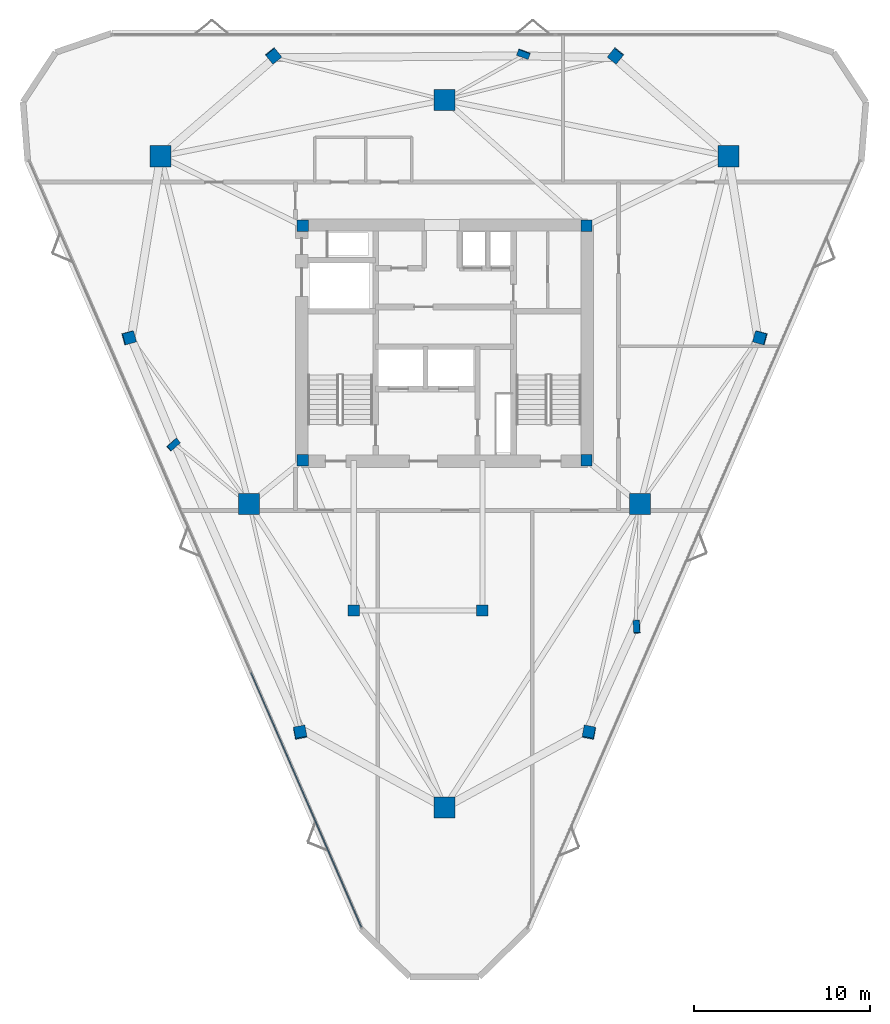
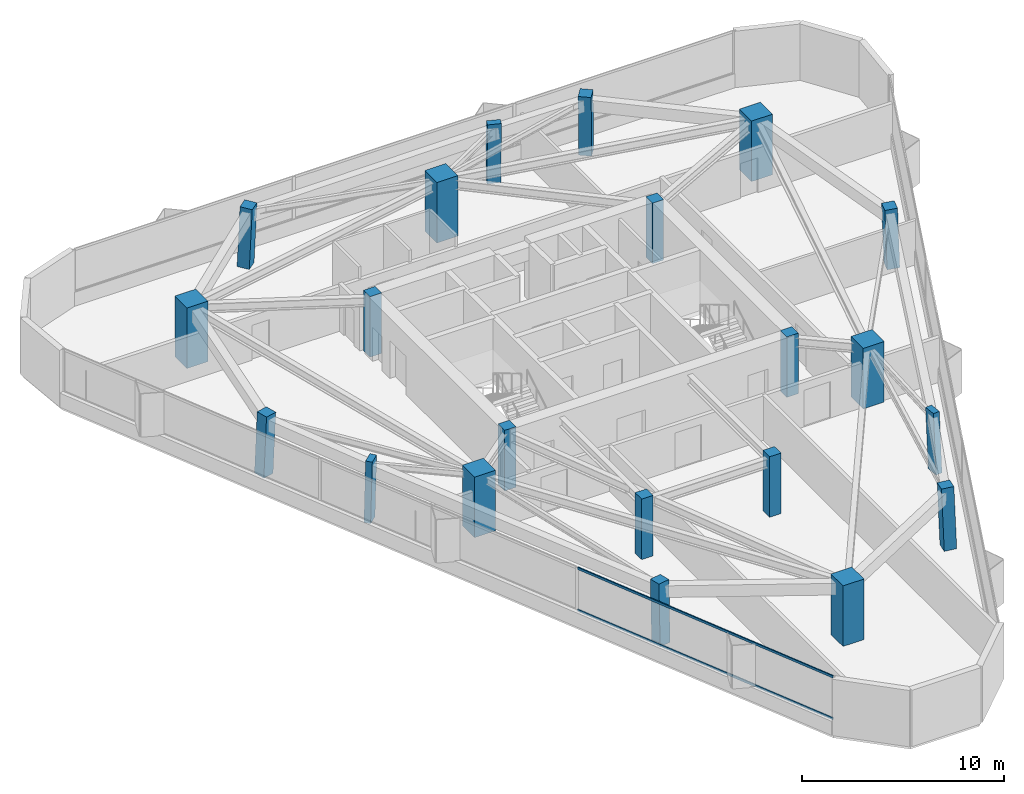
# One storey, part 1 of 11: 21 columns, 2 members, 1 element without a shape of its own.
"""IFC4 building model written with IfcOpenShell, lengths in metres."""

import ifcopenshell
import ifcopenshell.guid

model = None  # the IFC model being written
_history = None  # IfcOwnerHistory: only IFC2X3 demands one
_inside = {}  # id of a spatial element -> (the spatial element, [elements in it])
_under = {}  # id of a project, library or spatial element -> (it, [spatial elements below it])
_declared = {}  # id of a project -> (the project, [libraries it declares])
_typed = {}  # id of a type object -> (the type object, [elements of that type])
_made_of = {}  # id of a material, layer set ... -> (it, [elements and type objects made of it])


def new_model(schema):
    """Start an empty IFC model of exactly this schema.

    Asked for "IFC4X3", IfcOpenShell would pick the latest addendum, in which some entities
    have other attributes; the version numbers below select the first issue.
    IFC2X3 requires an IfcOwnerHistory on every rooted entity: one is made here for all.
    """
    global model, _history
    if schema == "IFC4X3":
        model = ifcopenshell.file(schema_version=(4, 3, 0, 0))
    else:
        model = ifcopenshell.file(schema=schema)
    _inside.clear()
    _under.clear()
    _declared.clear()
    _typed.clear()
    _made_of.clear()
    _history = None
    if model.schema == "IFC2X3":
        org = make("IfcOrganization", Name="unknown")
        user = make(
            "IfcPersonAndOrganization",
            ThePerson=make("IfcPerson", FamilyName="unknown"),
            TheOrganization=org,
        )
        app = make(
            "IfcApplication",
            ApplicationDeveloper=org,
            Version="unknown",
            ApplicationFullName="unknown",
            ApplicationIdentifier="unknown",
        )
        _history = make(
            "IfcOwnerHistory",
            OwningUser=user,
            OwningApplication=app,
            ChangeAction="ADDED",
            CreationDate=0,
        )
    return model


def make(cls, **values):
    """One entity of the class cls with the attributes given. An attribute that is None is left unset."""
    return model.create_entity(
        cls, **{name: value for name, value in values.items() if value is not None}
    )


def rooted(cls, **values):
    """An entity with a GlobalId (a new one), such as an element, a storey or a relation."""
    return make(cls, GlobalId=ifcopenshell.guid.new(), OwnerHistory=_history, **values)


def si_unit(unit_type, name, prefix=None):
    """IfcSIUnit, for example si_unit("LENGTHUNIT", "METRE", prefix="MILLI")."""
    return make("IfcSIUnit", UnitType=unit_type, Prefix=prefix, Name=name)


def assignment(units):
    """IfcUnitAssignment: the units of a project."""
    return None if units is None else make("IfcUnitAssignment", Units=units)


def point(xyz):
    """IfcCartesianPoint."""
    return None if xyz is None else make("IfcCartesianPoint", Coordinates=xyz)


def direction(xyz):
    """IfcDirection."""
    return None if xyz is None else make("IfcDirection", DirectionRatios=xyz)


def frame(location, z_axis=None, x_axis=None):
    """IfcAxis2Placement3D, a coordinate frame: its origin and axes. An axis left out is left unset."""
    return make(
        "IfcAxis2Placement3D",
        Location=point(location),
        Axis=direction(z_axis),
        RefDirection=direction(x_axis),
    )


def frame_2d(location, x_axis=None):
    """IfcAxis2Placement2D, a coordinate frame in the plane: its origin and x axis."""
    return make(
        "IfcAxis2Placement2D", Location=point(location), RefDirection=direction(x_axis)
    )


def origin():
    """The frame at (0, 0, 0) with its axes left unset."""
    return frame((0.0, 0.0, 0.0))


def origin_2d():
    """The frame at (0, 0) in the plane with its x axis left unset."""
    return frame_2d((0.0, 0.0))


def place(relative_to, where):
    """IfcLocalPlacement: puts the frame where relative to a parent placement (None: the world)."""
    return make(
        "IfcLocalPlacement", PlacementRelTo=relative_to, RelativePlacement=where
    )


def context(
    kind, dimensions, precision=None, world=None, true_north=None, identifier=None
):
    """IfcGeometricRepresentationContext, for example the 3D "Model" context."""
    return make(
        "IfcGeometricRepresentationContext",
        ContextIdentifier=identifier,
        ContextType=kind,
        CoordinateSpaceDimension=dimensions,
        Precision=precision,
        WorldCoordinateSystem=world,
        TrueNorth=true_north,
    )


def subcontext(parent, identifier, kind, view, scale=None):
    """IfcGeometricRepresentationSubContext, for example "Body" below "Model"."""
    return make(
        "IfcGeometricRepresentationSubContext",
        ContextIdentifier=identifier,
        ContextType=kind,
        ParentContext=parent,
        TargetScale=scale,
        TargetView=view,
    )


def project(units=None, contexts=None):
    """IfcProject with its units and contexts."""
    return rooted(
        "IfcProject",
        Name="project",
        RepresentationContexts=contexts,
        UnitsInContext=assignment(units),
    )


def spatial(cls, under=None, at=None, **own):
    """A site, building, storey or space (cls), placed at a placement, below another one or the project."""
    s = rooted(cls, ObjectPlacement=at, **own)
    if under is not None:
        _under.setdefault(under.id(), (under, []))[1].append(s)
    return s


def profile(cls, at=None, kind="AREA", **sizes):
    """A parametric profile (cls). Its sizes go by their IFC names, for example OverallWidth=200.0."""
    return make(cls, ProfileType=kind, Position=at, **sizes)


def rectangle(**sizes):
    """IfcRectangleProfileDef."""
    return profile("IfcRectangleProfileDef", **sizes)


def extrude(swept, where, along, depth):
    """IfcExtrudedAreaSolid: the profile swept, set in the frame where, extruded along a direction by depth."""
    return make(
        "IfcExtrudedAreaSolid",
        SweptArea=swept,
        Position=where,
        ExtrudedDirection=direction(along),
        Depth=depth,
    )


def shape(context_of_items, identifier, shape_type, items):
    """IfcShapeRepresentation: the items that make up one representation, for example the "Body"."""
    return make(
        "IfcShapeRepresentation",
        ContextOfItems=context_of_items,
        RepresentationIdentifier=identifier,
        RepresentationType=shape_type,
        Items=items,
    )


def material(Name=None, Category=None):
    """IfcMaterial."""
    return make("IfcMaterial", Name=Name, Category=Category)


def layer(
    of_material, thickness, ventilated=None, Name=None, Category=None, Priority=None
):
    """IfcMaterialLayer: one layer of a wall or slab, of a material (None: an air gap)."""
    return make(
        "IfcMaterialLayer",
        Material=of_material,
        LayerThickness=thickness,
        IsVentilated=ventilated,
        Name=Name,
        Category=Category,
        Priority=Priority,
    )


def layer_set(layers, Name=None):
    """IfcMaterialLayerSet."""
    return make("IfcMaterialLayerSet", MaterialLayers=layers, LayerSetName=Name)


def material_profile(
    of_material, cross_section, Name=None, Category=None, Priority=None
):
    """IfcMaterialProfile: a cross section and its material."""
    return make(
        "IfcMaterialProfile",
        Name=Name,
        Material=of_material,
        Profile=cross_section,
        Priority=Priority,
        Category=Category,
    )


def profile_set(profiles, Name=None, composite=None):
    """IfcMaterialProfileSet."""
    return make(
        "IfcMaterialProfileSet",
        Name=Name,
        MaterialProfiles=profiles,
        CompositeProfile=composite,
    )


def made_of(thing, what):
    """Note that an element or type object is made of a material, layer set ...; save() writes the relation."""
    if what is not None:
        _made_of.setdefault(what.id(), (what, []))[1].append(thing)
    return thing


def type_object(cls, material=None, **own):
    """A type object (cls), such as IfcWallType, which elements share."""
    return made_of(rooted(cls, **own), material)


def element(
    cls,
    number,
    at=None,
    inside=None,
    cuts=None,
    type_object=None,
    material=None,
    context=None,
    identifier="Body",
    shape_type=None,
    held_by="IfcProductDefinitionShape",
    body=None,
    shapes=None,
    **own,
):
    """One element of the class cls, such as IfcWall. Its Tag is "e" and its number.

    at: its placement. inside: the storey or other place that contains it. cuts: it is an
    opening in that element (IfcRelVoidsElement). A single representation is given by context,
    identifier, shape_type and body (its items); several are given by shapes. held_by: the class
    of the entity that holds the representations. save() writes the other relations.
    """
    e = rooted(cls, Tag="e%d" % number, ObjectPlacement=at, **own)
    if body is not None:
        shapes = [shape(context, identifier, shape_type, body)]
    if shapes is not None:
        e.Representation = make(held_by, Representations=shapes)
    if inside is not None:
        _inside.setdefault(inside.id(), (inside, []))[1].append(e)
    if cuts is not None:
        rooted(
            "IfcRelVoidsElement", RelatingBuildingElement=cuts, RelatedOpeningElement=e
        )
    if type_object is not None:
        _typed.setdefault(type_object.id(), (type_object, []))[1].append(e)
    return made_of(e, material)


def aggregate(whole, parts):
    """IfcRelAggregates: a whole, such as a stair, and the parts it consists of."""
    return rooted("IfcRelAggregates", RelatingObject=whole, RelatedObjects=parts)


def save(model, path):
    """Write the relations noted so far, then the file.

    IfcRelAggregates (storeys below a building ...), IfcRelContainedInSpatialStructure (elements
    in a storey), IfcRelDefinesByType, IfcRelAssociatesMaterial and IfcRelDeclares: one each for
    every whole, place, type object, material and project.
    """
    for whole, parts in _under.values():
        aggregate(whole, parts)
    for where, things in _inside.values():
        rooted(
            "IfcRelContainedInSpatialStructure",
            RelatedElements=things,
            RelatingStructure=where,
        )
    for kind, things in _typed.values():
        rooted("IfcRelDefinesByType", RelatedObjects=things, RelatingType=kind)
    for what, things in _made_of.values():
        rooted("IfcRelAssociatesMaterial", RelatedObjects=things, RelatingMaterial=what)
    for by, libraries in _declared.values():
        rooted("IfcRelDeclares", RelatingContext=by, RelatedDefinitions=libraries)
    model.write(path)


model = new_model("IFC4")

# Units and contexts
model_context = context("Model", 3, precision=1e-05, world=origin(), true_north=direction((0.0, 1.0)))
body_context = subcontext(model_context, "Body", "Model", "MODEL_VIEW")
ifc_project = project(units=[si_unit("LENGTHUNIT", "METRE"), si_unit("AREAUNIT", "SQUARE_METRE"), si_unit("VOLUMEUNIT", "CUBIC_METRE"), si_unit("PLANEANGLEUNIT", "RADIAN"), si_unit("MASSUNIT", "GRAM", prefix="KILO")], contexts=[model_context])

# Site, building, storey
site_placement = place(None, origin())
site = spatial("IfcSite", under=ifc_project, at=site_placement, CompositionType="ELEMENT")
building_placement = place(site_placement, origin())
building = spatial("IfcBuilding", under=site, at=building_placement, Name="Talyreon Biosciences Tower", CompositionType="ELEMENT")
storey_placement = place(building_placement, frame((0.0, 0.0, 242.550048828125)))
storey = spatial("IfcBuildingStorey", under=building, at=storey_placement, Name="L64", CompositionType="ELEMENT", Elevation=242.550048828125)

# Columns
ifc_material_1 = material(Name="Precast concrete C45/55", Category="concrete")
ifc_material_profile_1 = material_profile(ifc_material_1, rectangle(XDim=0.699951171875, YDim=0.35009765625, at=origin_2d()), Name="RC 700x350")
ifc_profile_set_1 = profile_set([ifc_material_profile_1], Name="Precast concrete C45/55")
column_type_1 = type_object("IfcColumnType", Name="FacadePilaster_700x350", PredefinedType="PILASTER", material=ifc_profile_set_1)
column_1_placement = place(storey_placement, frame((76.90625, 51.894287109375, 0.0029296875), z_axis=(-0.019545044433, 0.038353802945, 0.999073058909), x_axis=(0.06181782381, -0.997305709028, 0.039495308577)))
element("IfcColumn", 1, at=column_1_placement, inside=storey, type_object=column_type_1, Name="L64 Facade Pilaster PL-SE", PredefinedType="PILASTER", context=body_context, shape_type="SweptSolid", body=[
    extrude(rectangle(XDim=0.699951171875, YDim=0.35009765625, at=origin_2d()), origin(), (0.0, 0.0, 1.0), 3.6474609375),
])
column_2_placement = place(storey_placement, frame((70.4833984375, 84.412353515625, 0.0029296875), z_axis=(-0.01238655289, -0.033544124313, 0.999360478022), x_axis=(-0.9380871136, 0.346399433166, 0.0)))
element("IfcColumn", 2, at=column_2_placement, inside=storey, type_object=column_type_1, Name="L64 Facade Pilaster PL-N", PredefinedType="PILASTER", context=body_context, shape_type="SweptSolid", body=[
    extrude(rectangle(XDim=0.699951171875, YDim=0.35009765625, at=origin_2d()), origin(), (0.0, 0.0, 1.0), 3.646484375),
])
column_3_placement = place(storey_placement, frame((50.6103515625, 62.236572265625, 0.0029296875), z_axis=(0.032006454348, 0.010579539303, 0.999431668614), x_axis=(0.745818020908, 0.665431368366, -0.030928525405)))
element("IfcColumn", 3, at=column_3_placement, inside=storey, type_object=column_type_1, Name="L64 Facade Pilaster PL-SW", PredefinedType="PILASTER", context=body_context, shape_type="SweptSolid", body=[
    extrude(rectangle(XDim=0.699951171875, YDim=0.35009765625, at=origin_2d()), origin(), (0.0, 0.0, 1.0), 3.64599609375),
])
ifc_material_2 = material(Name="Concrete C50/60", Category="concrete")
ifc_material_profile_2 = material_profile(ifc_material_2, rectangle(XDim=1.199951171875, YDim=1.199951171875, at=origin_2d()), Name="RC 1200x1200")
ifc_profile_set_2 = profile_set([ifc_material_profile_2], Name="Concrete C50/60")
column_type_2 = type_object("IfcColumnType", Name="MegaColumn_1200", PredefinedType="COLUMN", material=ifc_profile_set_2)
for number, where, z_axis, x_axis, name in (
    (4, (66.0, 41.6669921875, 0.0), (0.0, 0.0, 1.0), (1.0, 0.0, 0.0), "L64 Composite Mega-Column MC1"),
    (5, (82.102294921875, 78.5986328125, 0.0), (0.0, 0.0, 1.0), (1.0, 0.0, 0.0), "L64 Composite Mega-Column MC2"),
    (6, (49.897705078125, 78.5986328125, 0.0), (0.0, 0.0, 1.0), (1.0, 0.0, 0.0), "L64 Composite Mega-Column MC3"),
    (7, (77.086181640625, 58.88037109375, 0.0), (0.0, 0.0, 1.0), (1.0, 0.0, 0.0), "L64 Composite Mega-Column MC4"),
    (8, (66.0, 81.788818359375, 0.0), (0.0, 0.0, 1.0), (1.0, 0.0, 0.0), "L64 Composite Mega-Column MC5"),
    (9, (54.913818359375, 58.88037109375, 0.0), (0.0, 0.0, 1.0), (1.0, 0.0, 0.0), "L64 Composite Mega-Column MC6"),
):
    element("IfcColumn", number, at=place(storey_placement, frame(where, z_axis=z_axis, x_axis=x_axis)), inside=storey, type_object=column_type_2, Name=name, PredefinedType="COLUMN", context=body_context, shape_type="SweptSolid", body=[
        extrude(rectangle(XDim=1.199951171875, YDim=1.199951171875, at=origin_2d()), origin(), (0.0, 0.0, 1.0), 3.64990234375),
    ])
ifc_material_profile_3 = material_profile(ifc_material_2, rectangle(XDim=0.64990234375, YDim=0.64990234375, at=origin_2d()), Name="RC 650x650")
ifc_profile_set_3 = profile_set([ifc_material_profile_3], Name="Concrete C50/60")
column_type_3 = type_object("IfcColumnType", Name="PerimeterColumn_650", PredefinedType="COLUMN", material=ifc_profile_set_3)
for number, where, z_axis, x_axis, name in (
    (10, (57.949951171875, 61.35009765625, 0.0), (0.0, 0.0, 1.0), (1.0, 0.0, 0.0), "L64 Core Column CC1"),
    (11, (74.050048828125, 61.35009765625, 0.0), (0.0, 0.0, 1.0), (1.0, 0.0, 0.0), "L64 Core Column CC2"),
    (12, (74.050048828125, 74.64990234375, 0.0), (0.0, 0.0, 1.0), (1.0, 0.0, 0.0), "L64 Core Column CC3"),
    (13, (57.949951171875, 74.64990234375, 0.0), (0.0, 0.0, 1.0), (1.0, 0.0, 0.0), "L64 Core Column CC4"),
    (14, (60.85009765625, 52.840087890625, 0.0), (0.0, 0.0, 1.0), (1.0, 0.0, 0.0), "L64 Core Column CSW"),
    (15, (68.14990234375, 52.840087890625, 0.0), (0.0, 0.0, 1.0), (1.0, 0.0, 0.0), "L64 Core Column CSE"),
):
    element("IfcColumn", number, at=place(storey_placement, frame(where, z_axis=z_axis, x_axis=x_axis)), inside=storey, type_object=column_type_3, Name=name, PredefinedType="COLUMN", context=body_context, shape_type="SweptSolid", body=[
        extrude(rectangle(XDim=0.64990234375, YDim=0.64990234375, at=origin_2d()), origin(), (0.0, 0.0, 1.0), 3.64990234375),
    ])
column_4_placement = place(storey_placement, frame((74.19921875, 45.90087890625, 0.0029296875), z_axis=(-0.012308168998, 0.054584053819, 0.998433317776), x_axis=(-0.186495325563, -0.981113594673, 0.051338171871)))
element("IfcColumn", 16, at=column_4_placement, inside=storey, type_object=column_type_3, Name="L64 Tapering Perimeter Column PC-SE1", PredefinedType="COLUMN", context=body_context, shape_type="SweptSolid", body=[
    extrude(rectangle(XDim=0.64990234375, YDim=0.64990234375, at=origin_2d()), origin(), (0.0, 0.0, 1.0), 3.649658203125),
])
column_5_placement = place(storey_placement, frame((83.913330078125, 68.309326171875, 0.0029296875), z_axis=(-0.039229508262, -0.005623342481, 0.999214403269), x_axis=(0.963938173755, -0.263630578824, 0.036360900523)))
element("IfcColumn", 17, at=column_5_placement, inside=storey, type_object=column_type_3, Name="L64 Tapering Perimeter Column PC-SE2", PredefinedType="COLUMN", context=body_context, shape_type="SweptSolid", body=[
    extrude(rectangle(XDim=0.64990234375, YDim=0.64990234375, at=origin_2d()), origin(), (0.0, 0.0, 1.0), 3.64697265625),
])
for number, where, z_axis, x_axis, name in (
    (18, (75.714111328125, 84.3125, 0.0029296875), (-0.026907963191, -0.033534551141, 0.999075270136), (-0.779956681152, 0.625833504637, 0.0), "L64 Tapering Perimeter Column PC-N1"),
    (19, (56.285888671875, 84.3125, 0.0029296875), (0.026907963191, -0.033534551141, 0.999075270136), (-0.779956681152, -0.625833504637, 0.0), "L64 Tapering Perimeter Column PC-N2"),
):
    element("IfcColumn", number, at=place(storey_placement, frame(where, z_axis=z_axis, x_axis=x_axis)), inside=storey, type_object=column_type_3, Name=name, PredefinedType="COLUMN", context=body_context, shape_type="SweptSolid", body=[
        extrude(rectangle(XDim=0.64990234375, YDim=0.64990234375, at=origin_2d()), origin(), (0.0, 0.0, 1.0), 3.6474609375),
    ])
column_6_placement = place(storey_placement, frame((48.086669921875, 68.309326171875, 0.0029296875), z_axis=(0.039229508262, -0.005623342481, 0.999214403269), x_axis=(0.963938173755, 0.263630578824, -0.036360900523)))
element("IfcColumn", 20, at=column_6_placement, inside=storey, type_object=column_type_3, Name="L64 Tapering Perimeter Column PC-SW1", PredefinedType="COLUMN", context=body_context, shape_type="SweptSolid", body=[
    extrude(rectangle(XDim=0.64990234375, YDim=0.64990234375, at=origin_2d()), origin(), (0.0, 0.0, 1.0), 3.64697265625),
])
column_7_placement = place(storey_placement, frame((57.80078125, 45.90087890625, 0.0029296875), z_axis=(0.012308168998, 0.054584053819, 0.998433317776), x_axis=(-0.186495325563, 0.981113594673, -0.051338171871)))
element("IfcColumn", 21, at=column_7_placement, inside=storey, type_object=column_type_3, Name="L64 Tapering Perimeter Column PC-SW2", PredefinedType="COLUMN", context=body_context, shape_type="SweptSolid", body=[
    extrude(rectangle(XDim=0.64990234375, YDim=0.64990234375, at=origin_2d()), origin(), (0.0, 0.0, 1.0), 3.649658203125),
])

# Curtain wall, members
ifc_material_3 = material(Name="Thermally broken aluminium and low-E glazing", Category="aluminium")
ifc_layer = layer(ifc_material_3, 0.175048828125)
ifc_layer_set = layer_set([ifc_layer], Name="Thermally broken aluminium and low-E glazing")
curtain_wall_type = type_object("IfcCurtainWallType", Name="CurtainWall_Zone5CompLab", PredefinedType="NOTDEFINED", material=ifc_layer_set)
curtain_wall_placement = place(storey_placement, origin())
curtain_wall = element("IfcCurtainWall", 22, at=curtain_wall_placement, inside=storey, type_object=curtain_wall_type, Name="L64 Unitised Curtain Wall FCW-L64-00", PredefinedType="NOTDEFINED")
ifc_material_4 = material(Name="Anodised thermally broken aluminium", Category="aluminium")
ifc_material_profile_4 = material_profile(ifc_material_4, rectangle(XDim=0.06494140625, YDim=0.139892578125, at=origin_2d()), Name="ALUM TRANSOM 65x140")
ifc_profile_set_4 = profile_set([ifc_material_profile_4], Name="Anodised thermally broken aluminium")
member_type = type_object("IfcMemberType", Name="CWTransom_65x140", PredefinedType="USERDEFINED", material=ifc_profile_set_4)
member_1_placement = place(storey_placement, frame((61.27685546875, 34.892333984375, 0.842529296875), z_axis=(-0.397835044798, 0.917456962004, 0.0), x_axis=(-0.917456962004, -0.397835044798, 0.0)))
member_1 = element("IfcMember", 23, at=member_1_placement, type_object=member_type, Name="CW6 transom 1.1", ObjectType="TRANSOM", PredefinedType="USERDEFINED", context=body_context, shape_type="SweptSolid", body=[
    extrude(rectangle(XDim=0.06494140625, YDim=0.139892578125, at=origin_2d()), origin(), (0.0, 0.0, 1.0), 15.71240234375),
])
member_2_placement = place(storey_placement, frame((61.27685546875, 34.892333984375, 3.367431640625), z_axis=(-0.397835044798, 0.917456962004, 0.0), x_axis=(-0.917456962004, -0.397835044798, 0.0)))
member_2 = element("IfcMember", 24, at=member_2_placement, type_object=member_type, Name="CW6 transom 1.2", ObjectType="TRANSOM", PredefinedType="USERDEFINED", context=body_context, shape_type="SweptSolid", body=[
    extrude(rectangle(XDim=0.06494140625, YDim=0.139892578125, at=origin_2d()), origin(), (0.0, 0.0, 1.0), 15.71240234375),
])
aggregate(curtain_wall, [member_1, member_2])

save(model, "model.ifc")
